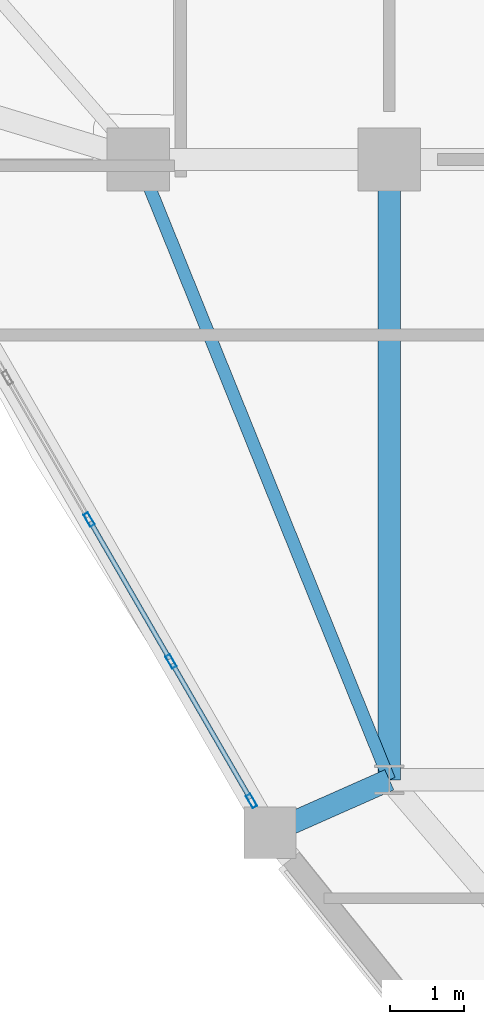
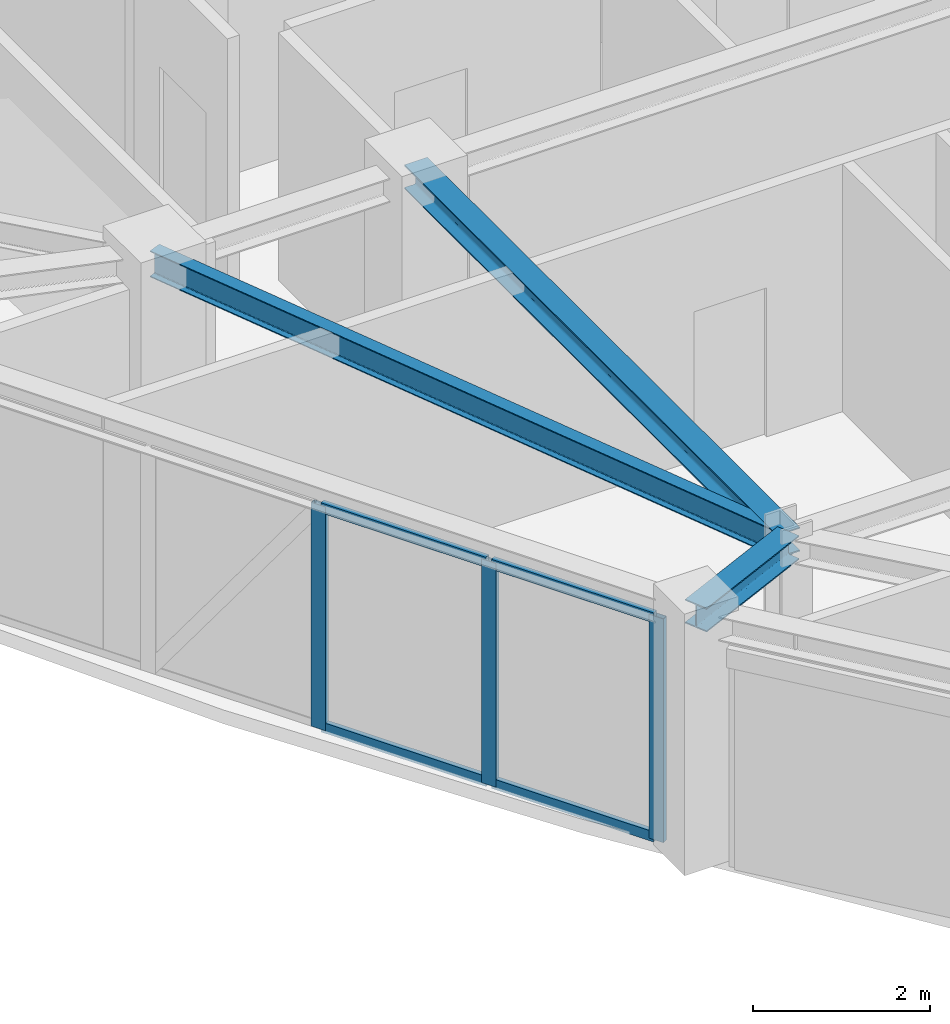
# One storey, part 2 of 16: 7 members, 3 beams, 1 element without a shape of its own.
"""IFC4 building model written with IfcOpenShell, lengths in metres."""

from ifc_helpers import new_model, si_unit, derived_unit, direction, frame, origin, origin_2d, place, context, subcontext, project, spatial, hollow_rectangle, i_section, extrude, source, transform, mapped, material, layer, layer_set, material_profile, profile_set, type_object, element, aggregate, save


model = new_model("IFC4")

# Units and contexts
model_context = context("Model", 3, precision=1e-05, world=origin(), true_north=direction((0.0, 1.0)))
body_context = subcontext(model_context, "Body", "Model", "MODEL_VIEW")
ifc_project = project(units=[si_unit("LENGTHUNIT", "METRE"), si_unit("AREAUNIT", "SQUARE_METRE"), si_unit("VOLUMEUNIT", "CUBIC_METRE"), si_unit("PLANEANGLEUNIT", "RADIAN"), si_unit("MASSUNIT", "GRAM", prefix="KILO"), derived_unit("THERMALTRANSMITTANCEUNIT", [(si_unit("POWERUNIT", "WATT"), 1), (si_unit("LENGTHUNIT", "METRE"), -2), (si_unit("THERMODYNAMICTEMPERATUREUNIT", "KELVIN"), -1)])], contexts=[model_context])

# Site, building, storey
site_placement = place(None, origin())
site = spatial("IfcSite", under=ifc_project, at=site_placement, CompositionType="ELEMENT")
building_placement = place(site_placement, origin())
building = spatial("IfcBuilding", under=site, at=building_placement, Name="Korsvarv Bourse and Concert Hall", CompositionType="ELEMENT")
storey_placement = place(building_placement, frame((0.0, 0.0, 243.0)))
storey = spatial("IfcBuildingStorey", under=building, at=storey_placement, Name="L63", CompositionType="ELEMENT", Elevation=243.0)

# Beams
ifc_material_1 = material(Name="Steel S355", Category="steel")
ifc_material_profile_1 = material_profile(ifc_material_1, i_section(OverallWidth=0.169921875, OverallDepth=0.360107421875, WebThickness=0.008056640625, FlangeThickness=0.0126953125, FilletRadius=0.01806640625, at=origin_2d()), Name="IPE 360")
ifc_profile_set_1 = profile_set([ifc_material_profile_1], Name="Steel S355")
beam_type_1 = type_object("IfcBeamType", Name="BM-IPE360", PredefinedType="JOIST", material=ifc_profile_set_1)
shared_shape_1 = source(origin(), body_context, "Body", "SweptSolid", [
    extrude(i_section(OverallWidth=0.169921875, OverallDepth=0.360107421875, WebThickness=0.008056640625, FlangeThickness=0.0126953125, FilletRadius=0.01806640625, at=origin_2d()), origin(), (0.0, 0.0, 1.0), 9.06201171875),
])
beam_1_placement = place(storey_placement, frame((24.199951171875, 32.39990234375, 3.22998046875), z_axis=(0.375210394783, -0.926939674222, 0.0), x_axis=(0.926939674222, 0.375210394783, 0.0)))
element("IfcBeam", 1, at=beam_1_placement, inside=storey, type_object=beam_type_1, Name="L63 beam J-06", PredefinedType="JOIST", context=body_context, shape_type="MappedRepresentation", body=[
    mapped(shared_shape_1, transform((0.0, 0.0, 0.0), scale=1.0)),
])
ifc_material_profile_2 = material_profile(ifc_material_1, i_section(OverallWidth=0.300048828125, OverallDepth=0.330078125, WebThickness=0.009521484375, FlangeThickness=0.0166015625, FilletRadius=0.02099609375, at=origin_2d()), Name="HEA 340")
ifc_profile_set_2 = profile_set([ifc_material_profile_2], Name="Steel S355")
beam_type_2 = type_object("IfcBeamType", Name="BM-HEA340", PredefinedType="BEAM", material=ifc_profile_set_2)
shared_shape_2 = source(origin(), body_context, "Body", "SweptSolid", [
    extrude(i_section(OverallWidth=0.300048828125, OverallDepth=0.330078125, WebThickness=0.009521484375, FlangeThickness=0.0166015625, FilletRadius=0.02099609375, at=origin_2d()), origin(), (0.0, 0.0, 1.0), 8.39990234375),
])
beam_2_placement = place(storey_placement, frame((27.60009765625, 24.0, 3.2451171875), z_axis=(0.0, 1.0, 0.0), x_axis=(-1.0, 0.0, 0.0)))
element("IfcBeam", 2, at=beam_2_placement, inside=storey, type_object=beam_type_2, Name="L63 beam B-12", PredefinedType="BEAM", context=body_context, shape_type="MappedRepresentation", body=[
    mapped(shared_shape_2, transform((0.0, 0.0, 0.0), scale=1.0)),
])
shared_shape_3 = source(origin(), body_context, "Body", "SweptSolid", [
    extrude(i_section(OverallWidth=0.300048828125, OverallDepth=0.330078125, WebThickness=0.009521484375, FlangeThickness=0.0166015625, FilletRadius=0.02099609375, at=origin_2d()), origin(), (0.0, 0.0, 1.0), 1.768310546875),
])
beam_3_placement = place(storey_placement, frame((25.9833984375, 23.28369140625, 3.2451171875), z_axis=(0.914277809645, 0.405087751963, 0.0), x_axis=(-0.405087751963, 0.914277809645, 0.0)))
element("IfcBeam", 3, at=beam_3_placement, inside=storey, type_object=beam_type_2, Name="L63 beam B-12", PredefinedType="BEAM", context=body_context, shape_type="MappedRepresentation", body=[
    mapped(shared_shape_3, transform((0.0, 0.0, 0.0), scale=1.0)),
])

# Curtain wall, members
ifc_material_2 = material(Name="Anodised aluminium and triple low-E glazing", Category="glass")
ifc_layer = layer(ifc_material_2, 0.199951171875)
ifc_layer_set = layer_set([ifc_layer], Name="Anodised aluminium and triple low-E glazing")
curtain_wall_type = type_object("IfcCurtainWallType", Name="CW-SYS-3", PredefinedType="NOTDEFINED", material=ifc_layer_set)
curtain_wall_placement = place(storey_placement, origin())
curtain_wall = element("IfcCurtainWall", 4, at=curtain_wall_placement, inside=storey, type_object=curtain_wall_type, Name="L63 CW3 curtain wall CW-L63-F07", PredefinedType="NOTDEFINED")
ifc_material_3 = material(Name="Extruded aluminium EN AW-6063 T66", Category="aluminium")
ifc_material_profile_3 = material_profile(ifc_material_3, hollow_rectangle(XDim=0.070068359375, YDim=0.18994140625, WallThickness=0.0048828125, at=origin_2d()), Name="ALU-M 70x190")
ifc_profile_set_3 = profile_set([ifc_material_profile_3], Name="Extruded aluminium EN AW-6063 T66")
member_type_1 = type_object("IfcMemberType", Name="CWM-190", PredefinedType="MULLION", material=ifc_profile_set_3)
shared_shape_4 = source(origin(), body_context, "Body", "SweptSolid", [
    extrude(hollow_rectangle(XDim=0.070068359375, YDim=0.18994140625, WallThickness=0.0048828125, at=origin_2d()), origin(), (0.0, 0.0, 1.0), 3.080078125),
])
member_1_placement = place(storey_placement, frame((23.53564453125, 27.523681640625, 0.0), z_axis=(0.0, 0.0, 1.0), x_axis=(0.866021686907, 0.500006437765, 0.0)))
member_1 = element("IfcMember", 5, at=member_1_placement, type_object=member_type_1, Name="CW3 mullion 4", PredefinedType="MULLION", context=body_context, shape_type="MappedRepresentation", body=[
    mapped(shared_shape_4, transform((0.0, 0.0, 0.0), scale=1.0)),
])
member_2_placement = place(storey_placement, frame((24.64404296875, 25.603759765625, 0.0), z_axis=(0.0, 0.0, 1.0), x_axis=(0.866021686907, 0.500006437765, 0.0)))
member_2 = element("IfcMember", 6, at=member_2_placement, type_object=member_type_1, Name="CW3 mullion 5", PredefinedType="MULLION", context=body_context, shape_type="MappedRepresentation", body=[
    mapped(shared_shape_4, transform((0.0, 0.0, 0.0), scale=1.0)),
])
member_3_placement = place(storey_placement, frame((25.735107421875, 23.714111328125, 0.0), z_axis=(0.0, 0.0, 1.0), x_axis=(0.866021686907, 0.500006437765, 0.0)))
member_3 = element("IfcMember", 7, at=member_3_placement, type_object=member_type_1, Name="CW3 mullion 6", PredefinedType="MULLION", context=body_context, shape_type="MappedRepresentation", body=[
    mapped(shared_shape_4, transform((0.0, 0.0, 0.0), scale=1.0)),
])
ifc_material_profile_4 = material_profile(ifc_material_3, hollow_rectangle(XDim=0.06494140625, YDim=0.139892578125, WallThickness=0.00390625, at=origin_2d()), Name="ALU-T 65x140")
ifc_profile_set_4 = profile_set([ifc_material_profile_4], Name="Extruded aluminium EN AW-6063 T66")
member_type_2 = type_object("IfcMemberType", Name="CWT-140", PredefinedType="USERDEFINED", material=ifc_profile_set_4)
shared_shape_5 = source(origin(), body_context, "Body", "SweptSolid", [
    extrude(hollow_rectangle(XDim=0.06494140625, YDim=0.139892578125, WallThickness=0.00390625, at=origin_2d()), origin(), (0.0, 0.0, 1.0), 2.14697265625),
])
member_4_placement = place(storey_placement, frame((23.552978515625, 27.493408203125, 0.032470703125), z_axis=(0.499991501415, -0.866030310389, 0.0), x_axis=(0.866030310389, 0.499991501415, 0.0)))
member_4 = element("IfcMember", 8, at=member_4_placement, type_object=member_type_2, Name="CW3 transom 4.1", ObjectType="TRANSOM", PredefinedType="USERDEFINED", context=body_context, shape_type="MappedRepresentation", body=[
    mapped(shared_shape_5, transform((0.0, 0.0, 0.0), scale=1.0)),
])
member_5_placement = place(storey_placement, frame((23.552978515625, 27.493408203125, 3.047607421875), z_axis=(0.499991501415, -0.866030310389, 0.0), x_axis=(0.866030310389, 0.499991501415, 0.0)))
member_5 = element("IfcMember", 9, at=member_5_placement, type_object=member_type_2, Name="CW3 transom 4.2", ObjectType="TRANSOM", PredefinedType="USERDEFINED", context=body_context, shape_type="MappedRepresentation", body=[
    mapped(shared_shape_5, transform((0.0, 0.0, 0.0), scale=1.0)),
])
shared_shape_6 = source(origin(), body_context, "Body", "SweptSolid", [
    extrude(hollow_rectangle(XDim=0.06494140625, YDim=0.139892578125, WallThickness=0.00390625, at=origin_2d()), origin(), (0.0, 0.0, 1.0), 2.112060546875),
])
member_6_placement = place(storey_placement, frame((24.66162109375, 25.573486328125, 0.032470703125), z_axis=(0.499955938198, -0.866050841383, 0.0), x_axis=(0.866050841383, 0.499955938198, 0.0)))
member_6 = element("IfcMember", 10, at=member_6_placement, type_object=member_type_2, Name="CW3 transom 5.1", ObjectType="TRANSOM", PredefinedType="USERDEFINED", context=body_context, shape_type="MappedRepresentation", body=[
    mapped(shared_shape_6, transform((0.0, 0.0, 0.0), scale=1.0)),
])
member_7_placement = place(storey_placement, frame((24.66162109375, 25.573486328125, 3.047607421875), z_axis=(0.499955938198, -0.866050841383, 0.0), x_axis=(0.866050841383, 0.499955938198, 0.0)))
member_7 = element("IfcMember", 11, at=member_7_placement, type_object=member_type_2, Name="CW3 transom 5.2", ObjectType="TRANSOM", PredefinedType="USERDEFINED", context=body_context, shape_type="MappedRepresentation", body=[
    mapped(shared_shape_6, transform((0.0, 0.0, 0.0), scale=1.0)),
])
aggregate(curtain_wall, [member_1, member_2, member_3, member_4, member_5, member_6, member_7])

save(model, "model.ifc")
